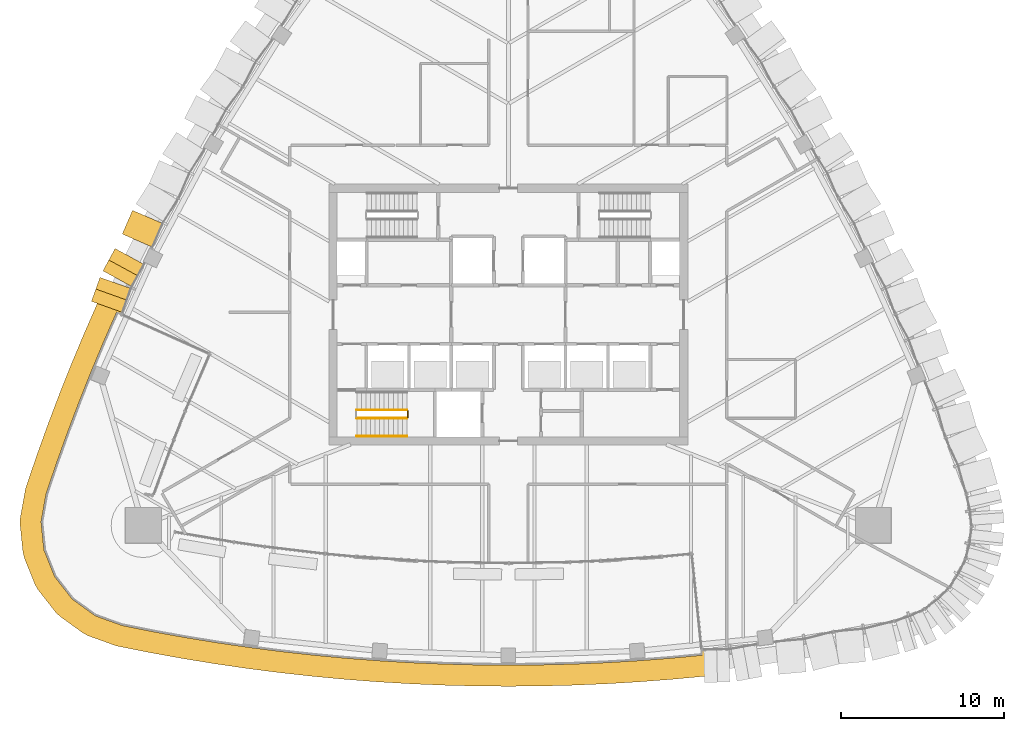
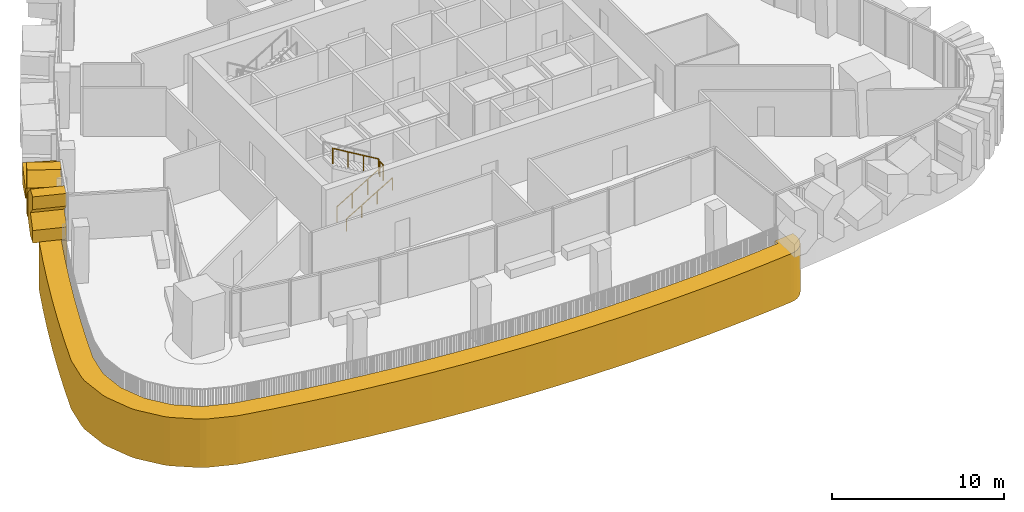
# One storey, part 17 of 22: 4 coverings, 4 railings.
"""IFC4 building model written with IfcOpenShell, lengths in metres."""

from ifc_helpers import new_model, si_unit, direction, frame, origin, origin_2d, place, context, subcontext, project, spatial, polyline, circle, outline, extrude, material, layer, layer_set, type_object, element, save


model = new_model("IFC4")

# Units and contexts
model_context = context("Model", 3, precision=1e-05, world=origin(), true_north=direction((0.0, 1.0)))
body_context = subcontext(model_context, "Body", "Model", "MODEL_VIEW")
ifc_project = project(units=[si_unit("LENGTHUNIT", "METRE"), si_unit("AREAUNIT", "SQUARE_METRE"), si_unit("VOLUMEUNIT", "CUBIC_METRE"), si_unit("PLANEANGLEUNIT", "RADIAN"), si_unit("MASSUNIT", "GRAM", prefix="KILO")], contexts=[model_context])

# Site, building, storey
site_placement = place(None, origin())
site = spatial("IfcSite", under=ifc_project, at=site_placement, CompositionType="ELEMENT")
building_placement = place(site_placement, origin())
building = spatial("IfcBuilding", under=site, at=building_placement, Name="Sierra Prisma Convention Tower", CompositionType="ELEMENT")
storey_placement = place(building_placement, frame((0.0, 0.0, 227.0)))
storey = spatial("IfcBuildingStorey", under=building, at=storey_placement, Name="L50", CompositionType="ELEMENT", Elevation=227.0)

# Coverings
ifc_material_1 = material(Name="Aluminium 6063-T6 bronze anodised", Category="aluminium")
ifc_layer_1 = layer(ifc_material_1, 2.0)
ifc_layer_set_1 = layer_set([ifc_layer_1], Name="Bronze crystal chevron frame")
covering_type_1 = type_object("IfcCoveringType", Name="Bronze crystal chevron frame", PredefinedType="CLADDING", material=ifc_layer_set_1)
covering_1_placement = place(storey_placement, frame((-23.04833984375, 6.396484375, 0.123046875), z_axis=(-0.916740233635, 0.399483846447, -2.1506747e-05), x_axis=(-0.360089583219, -0.826361124126, -0.432969727107)))
element("IfcCovering", 1, at=covering_1_placement, inside=storey, type_object=covering_type_1, Name="CW-2 chevron frame NW4.2.2", PredefinedType="CLADDING", context=body_context, shape_type="SweptSolid", body=[
    extrude(outline(polyline([(0.0, 0.0), (0.2841927927830753, 2.7755575615628914e-17), (1.4789763916051073, 0.57388537118504), (1.1782442447254013, 1.1999857309821778), (-0.576412090311085, 1.2000440288132839), (0.0, 0.0)])), origin(), (0.0, 0.0, -1.0), 2.0),
])
covering_2_placement = place(storey_placement, frame((-24.11767578125, 4.054443359375, 0.0), z_axis=(-0.877587476323, 0.479416542686, 0.0), x_axis=(-0.479416542686, -0.877587476323, 0.0)))
element("IfcCovering", 2, at=covering_2_placement, inside=storey, type_object=covering_type_1, Name="CW-2 chevron frame NW5.1.1", PredefinedType="CLADDING", context=body_context, shape_type="SweptSolid", body=[
    extrude(outline(polyline([(0.0, 0.0), (0.799197601306241, 0.0), (1.5562307854002382, 0.73828125), (1.5562307854002382, 2.541748046875), (0.799197601306241, 3.280029296875), (0.0, 3.280029296875), (0.0, 2.38330078125), (0.7619431751726076, 1.639892578125), (0.0, 0.896728515625), (0.0, 0.0)])), origin(), (0.0, 0.0, -1.0), 2.0),
])
covering_3_placement = place(storey_placement, frame((-25.045166015625, 2.2841796875, 0.73828125), z_axis=(-0.94177951183, 0.336231097755, 0.0), x_axis=(-0.240696504324, -0.674188193342, -0.6982374043)))
element("IfcCovering", 3, at=covering_3_placement, inside=storey, type_object=covering_type_1, Name="CW-2 chevron frame NW5.1.2", PredefinedType="CLADDING", context=body_context, shape_type="SweptSolid", body=[
    extrude(outline(polyline([(0.0, 0.0), (1.057349900554028, 0.0), (1.6295005478526567, 0.558060905234543), (1.003371156740617, 1.1999986096270192), (-0.06092679051501726, 1.2000425094545457), (-0.03460920331416384, 2.2641855636280503), (-0.6607385944262036, 2.9061232680205267), (-1.2328892417248323, 2.3480623627859836), (-1.2592479749917338, 1.2910410624413888), (0.0, 0.0)])), origin(), (0.0, 0.0, -1.0), 2.0),
])

# Railings
ifc_material_2 = material(Name="Stainless steel", Category="steel")
railing_type_1 = type_object("IfcRailingType", Name="Exit stair handrail", PredefinedType="HANDRAIL", material=ifc_material_2)
railing_1_placement = place(storey_placement, frame((-9.300048828125, -7.449951171875, 0.166748046875)))
element("IfcRailing", 4, at=railing_1_placement, inside=storey, type_object=railing_type_1, Name="L50 S1 stair handrail 1", PredefinedType="HANDRAIL", context=body_context, shape_type="SweptSolid", body=[
    extrude(circle(Radius=0.02392578125, at=origin_2d()), frame((0.0, 0.0, 0.8759765625), z_axis=(0.859308565015, 0.0, 0.511457515432), x_axis=(0.0, 1.0, 0.0)), (0.0, 0.0, 1.0), 3.58447265625),
    extrude(circle(Radius=0.02099609375, at=origin_2d()), origin(), (0.0, 0.0, 1.0), 0.851806640625),
    extrude(circle(Radius=0.02099609375, at=origin_2d()), frame((1.026611328125, 0.0, 0.611083984375)), (0.0, 0.0, 1.0), 0.851806640625),
    extrude(circle(Radius=0.02099609375, at=origin_2d()), frame((2.053466796875, 0.0, 1.22216796875)), (0.0, 0.0, 1.0), 0.851806640625),
    extrude(circle(Radius=0.02099609375, at=origin_2d()), frame((3.080078125, 0.0, 1.833251953125)), (0.0, 0.0, 1.0), 0.851806640625),
])
ifc_material_3 = material(Name="Stainless steel", Category="steel")
railing_type_2 = type_object("IfcRailingType", Name="Stair guard 1100", PredefinedType="GUARDRAIL", material=ifc_material_3)
railing_2_placement = place(storey_placement, frame((-9.300048828125, -6.35009765625, 0.166748046875)))
element("IfcRailing", 5, at=railing_2_placement, inside=storey, type_object=railing_type_2, Name="L50 S1 stair guard 1", PredefinedType="GUARDRAIL", context=body_context, shape_type="SweptSolid", body=[
    extrude(circle(Radius=0.02392578125, at=origin_2d()), frame((0.0, 0.0, 1.076171875), z_axis=(0.859308565015, 0.0, 0.511457515432), x_axis=(0.0, 1.0, 0.0)), (0.0, 0.0, 1.0), 3.58447265625),
    extrude(circle(Radius=0.02099609375, at=origin_2d()), origin(), (0.0, 0.0, 1.0), 1.052001953125),
    extrude(circle(Radius=0.02099609375, at=origin_2d()), frame((1.026611328125, 0.0, 0.611083984375)), (0.0, 0.0, 1.0), 1.052001953125),
    extrude(circle(Radius=0.02099609375, at=origin_2d()), frame((2.053466796875, 0.0, 1.22216796875)), (0.0, 0.0, 1.0), 1.052001953125),
    extrude(circle(Radius=0.02099609375, at=origin_2d()), frame((3.080078125, 0.0, 1.833251953125)), (0.0, 0.0, 1.0), 1.052001953125),
])
railing_3_placement = place(storey_placement, frame((-6.169921875, -6.300048828125, 2.0)))
element("IfcRailing", 6, at=railing_3_placement, inside=storey, type_object=railing_type_2, Name="L50 S1 stair guard 2", PredefinedType="GUARDRAIL", context=body_context, shape_type="SweptSolid", body=[
    extrude(circle(Radius=0.02392578125, at=origin_2d()), frame((0.0, 0.0, 1.076171875), z_axis=(0.0, 1.0, 0.0), x_axis=(-1.0, 0.0, 0.0)), (0.0, 0.0, 1.0), 0.400146484375),
    extrude(circle(Radius=0.02099609375, at=origin_2d()), origin(), (0.0, 0.0, 1.0), 1.052001953125),
    extrude(circle(Radius=0.02099609375, at=origin_2d()), frame((0.0, 0.400146484375, 0.0)), (0.0, 0.0, 1.0), 1.052001953125),
])
railing_4_placement = place(storey_placement, frame((-6.219970703125, -5.85009765625, 2.166748046875)))
element("IfcRailing", 7, at=railing_4_placement, inside=storey, type_object=railing_type_2, Name="L50 S1 stair guard 3", PredefinedType="GUARDRAIL", context=body_context, shape_type="SweptSolid", body=[
    extrude(circle(Radius=0.02392578125, at=origin_2d()), frame((0.0, 0.0, 1.076171875), z_axis=(-0.859308565015, 0.0, 0.511457515432), x_axis=(0.0, -1.0, 0.0)), (0.0, 0.0, 1.0), 3.58447265625),
    extrude(circle(Radius=0.02099609375, at=origin_2d()), origin(), (0.0, 0.0, 1.0), 1.052001953125),
    extrude(circle(Radius=0.02099609375, at=origin_2d()), frame((-1.026611328125, 0.0, 0.611083984375)), (0.0, 0.0, 1.0), 1.052001953125),
    extrude(circle(Radius=0.02099609375, at=origin_2d()), frame((-2.053466796875, 0.0, 1.22216796875)), (0.0, 0.0, 1.0), 1.052001953125),
    extrude(circle(Radius=0.02099609375, at=origin_2d()), frame((-3.080078125, 0.0, 1.833251953125)), (0.0, 0.0, 1.0), 1.052001953125),
])

# Covering
ifc_material_4 = material(Name="Aluminium composite bronze anodised", Category="aluminium")
ifc_layer_2 = layer(ifc_material_4, 1.300048828125)
ifc_layer_set_2 = layer_set([ifc_layer_2], Name="Terrace fascia")
covering_type_2 = type_object("IfcCoveringType", Name="Terrace fascia", PredefinedType="CLADDING", material=ifc_layer_set_2)
covering_4_placement = place(storey_placement, frame((0.0, 0.0, -3.39990234375)))
element("IfcCovering", 8, at=covering_4_placement, inside=storey, type_object=covering_type_2, Name="Terrace fascia L50.1", PredefinedType="CLADDING", context=body_context, shape_type="SweptSolid", body=[
    extrude(outline(polyline([(13.167236328125, -20.750732421875), (13.168212890625, -21.0068359375), (13.11865234375, -21.25830078125), (13.020751953125, -21.494873046875), (12.87841796875, -21.7080078125), (12.697265625, -21.888916015625), (12.48388671875, -22.03076171875), (12.2470703125, -22.1279296875), (11.99560546875, -22.177001953125), (10.04248046875, -22.3603515625), (10.0205078125, -22.3623046875), (8.039794921875, -22.514404296875), (8.017578125, -22.515869140625), (6.03466796875, -22.634033203125), (6.012451171875, -22.63525390625), (4.027587890625, -22.7197265625), (4.005615234375, -22.720458984375), (2.019775390625, -22.771240234375), (1.99755859375, -22.771484375), (0.010986328125, -22.78857421875), (-0.010986328125, -22.78857421875), (-1.99755859375, -22.771484375), (-2.019775390625, -22.771240234375), (-4.005615234375, -22.720458984375), (-4.027587890625, -22.7197265625), (-6.012451171875, -22.63525390625), (-6.03466796875, -22.634033203125), (-8.017578125, -22.515869140625), (-8.039794921875, -22.514404296875), (-10.0205078125, -22.3623046875), (-10.04248046875, -22.3603515625), (-12.020263671875, -22.1748046875), (-12.042236328125, -22.17236328125), (-14.0166015625, -21.952880859375), (-14.038818359375, -21.950439453125), (-16.009033203125, -21.697509765625), (-16.031005859375, -21.6943359375), (-17.996826171875, -21.407958984375), (-18.018798828125, -21.404541015625), (-19.979248046875, -21.084716796875), (-20.001220703125, -21.0810546875), (-21.9560546875, -20.727783203125), (-21.977783203125, -20.7236328125), (-23.926513671875, -20.337158203125), (-24.11279296875, -20.285400390625), (-25.761962890625, -19.693359375), (-26.083984375, -19.5234375), (-27.50439453125, -18.497314453125), (-27.7666015625, -18.24462890625), (-28.8466796875, -16.86474609375), (-29.02880859375, -16.549560546875), (-29.68359375, -14.92431640625), (-29.771240234375, -14.57080078125), (-29.949951171875, -12.82763671875), (-29.935791015625, -12.4638671875), (-29.624267578125, -10.739501953125), (-29.57568359375, -10.55224609375), (-28.93603515625, -8.67138671875), (-28.9287109375, -8.650634765625), (-28.257080078125, -6.781005859375), (-28.24951171875, -6.76025390625), (-27.54638671875, -4.90234375), (-27.538330078125, -4.881591796875), (-26.803466796875, -3.035888671875), (-26.795166015625, -3.015380859375), (-26.02880859375, -1.1826171875), (-26.020263671875, -1.162353515625), (-25.222900390625, 0.6572265625), (-25.214111328125, 0.677490234375), (-25.20361328125, 0.699951171875), (-25.075927734375, 0.9189453125), (-24.908203125, 1.109130859375), (-24.706787109375, 1.26318359375), (-24.479248046875, 1.375), (-24.234375, 1.440673828125), (-23.9814453125, 1.45751953125), (-23.72998046875, 1.4248046875), (-23.489501953125, 1.343994140625), (-23.190673828125, 1.2099609375), (-23.732421875, 0.0283203125), (-24.02197265625, 0.158203125), (-24.0322265625, 0.135498046875), (-24.82958984375, -1.68408203125), (-25.595703125, -3.516845703125), (-26.33056640625, -5.362548828125), (-27.03369140625, -7.220458984375), (-27.705322265625, -9.090087890625), (-28.344970703125, -10.970703125), (-28.656494140625, -12.6953125), (-28.47802734375, -14.438232421875), (-27.822998046875, -16.063720703125), (-26.742919921875, -17.443603515625), (-25.32275390625, -18.4697265625), (-23.673583984375, -19.06201171875), (-21.724853515625, -19.448486328125), (-19.77001953125, -19.8017578125), (-17.809326171875, -20.12158203125), (-15.843505859375, -20.407958984375), (-13.873291015625, -20.660888671875), (-11.898681640625, -20.88037109375), (-9.9208984375, -21.066162109375), (-7.940185546875, -21.218017578125), (-5.95703125, -21.33642578125), (-3.972412109375, -21.4208984375), (-1.986572265625, -21.4716796875), (0.0, -21.488525390625), (1.986572265625, -21.4716796875), (3.972412109375, -21.4208984375), (5.95703125, -21.33642578125), (7.940185546875, -21.218017578125), (9.9208984375, -21.066162109375), (11.8740234375, -20.8828125), (11.841796875, -20.56689453125), (13.13623046875, -20.445556640625), (13.167236328125, -20.750732421875)])), origin(), (0.0, 0.0, 1.0), 3.43994140625),
])

save(model, "model.ifc")
